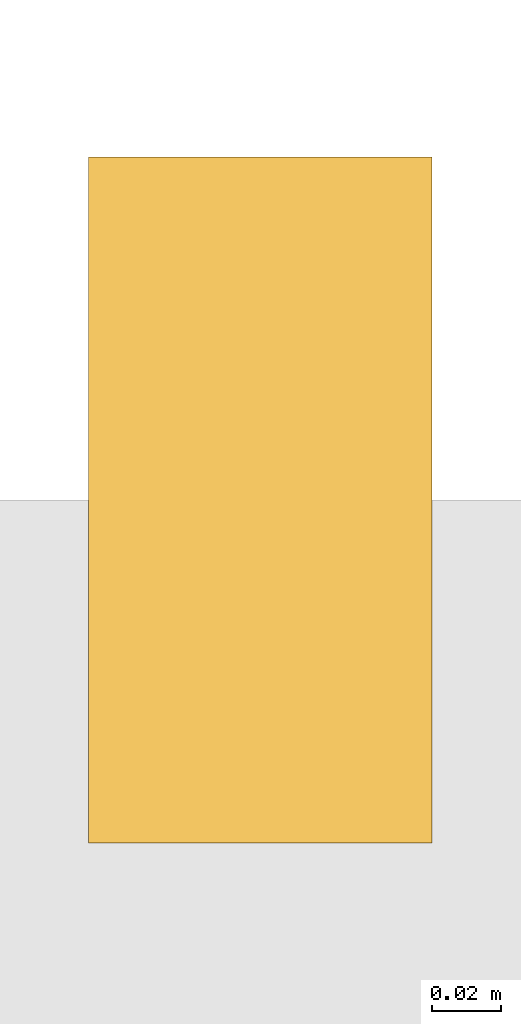
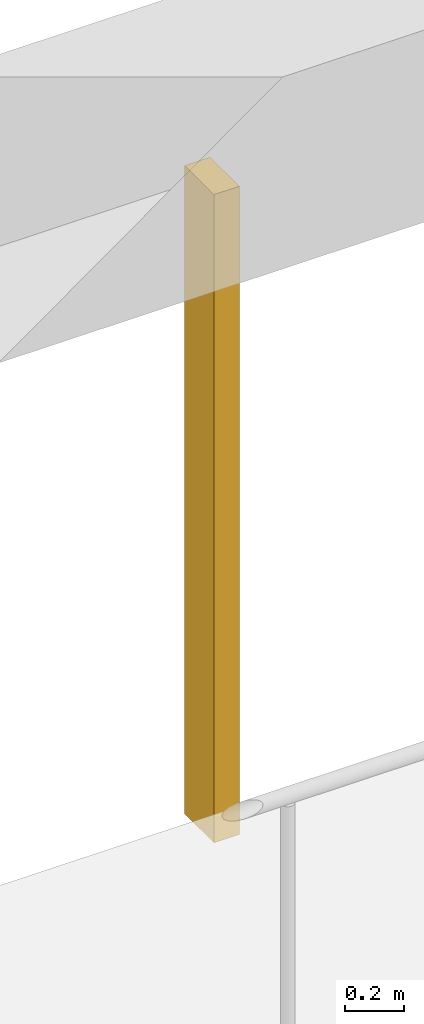
# One storey, part 15 of 19: 1 shading device.
"""IFC4 building model written with IfcOpenShell, lengths in metres."""

import ifcopenshell
import ifcopenshell.guid

model = None  # the IFC model being written
_history = None  # IfcOwnerHistory: only IFC2X3 demands one
_inside = {}  # id of a spatial element -> (the spatial element, [elements in it])
_under = {}  # id of a project, library or spatial element -> (it, [spatial elements below it])
_declared = {}  # id of a project -> (the project, [libraries it declares])
_typed = {}  # id of a type object -> (the type object, [elements of that type])
_made_of = {}  # id of a material, layer set ... -> (it, [elements and type objects made of it])


def new_model(schema):
    """Start an empty IFC model of exactly this schema.

    Asked for "IFC4X3", IfcOpenShell would pick the latest addendum, in which some entities
    have other attributes; the version numbers below select the first issue.
    IFC2X3 requires an IfcOwnerHistory on every rooted entity: one is made here for all.
    """
    global model, _history
    if schema == "IFC4X3":
        model = ifcopenshell.file(schema_version=(4, 3, 0, 0))
    else:
        model = ifcopenshell.file(schema=schema)
    _inside.clear()
    _under.clear()
    _declared.clear()
    _typed.clear()
    _made_of.clear()
    _history = None
    if model.schema == "IFC2X3":
        org = make("IfcOrganization", Name="unknown")
        user = make(
            "IfcPersonAndOrganization",
            ThePerson=make("IfcPerson", FamilyName="unknown"),
            TheOrganization=org,
        )
        app = make(
            "IfcApplication",
            ApplicationDeveloper=org,
            Version="unknown",
            ApplicationFullName="unknown",
            ApplicationIdentifier="unknown",
        )
        _history = make(
            "IfcOwnerHistory",
            OwningUser=user,
            OwningApplication=app,
            ChangeAction="ADDED",
            CreationDate=0,
        )
    return model


def make(cls, **values):
    """One entity of the class cls with the attributes given. An attribute that is None is left unset."""
    return model.create_entity(
        cls, **{name: value for name, value in values.items() if value is not None}
    )


def rooted(cls, **values):
    """An entity with a GlobalId (a new one), such as an element, a storey or a relation."""
    return make(cls, GlobalId=ifcopenshell.guid.new(), OwnerHistory=_history, **values)


def si_unit(unit_type, name, prefix=None):
    """IfcSIUnit, for example si_unit("LENGTHUNIT", "METRE", prefix="MILLI")."""
    return make("IfcSIUnit", UnitType=unit_type, Prefix=prefix, Name=name)


def assignment(units):
    """IfcUnitAssignment: the units of a project."""
    return None if units is None else make("IfcUnitAssignment", Units=units)


def point(xyz):
    """IfcCartesianPoint."""
    return None if xyz is None else make("IfcCartesianPoint", Coordinates=xyz)


def direction(xyz):
    """IfcDirection."""
    return None if xyz is None else make("IfcDirection", DirectionRatios=xyz)


def frame(location, z_axis=None, x_axis=None):
    """IfcAxis2Placement3D, a coordinate frame: its origin and axes. An axis left out is left unset."""
    return make(
        "IfcAxis2Placement3D",
        Location=point(location),
        Axis=direction(z_axis),
        RefDirection=direction(x_axis),
    )


def frame_2d(location, x_axis=None):
    """IfcAxis2Placement2D, a coordinate frame in the plane: its origin and x axis."""
    return make(
        "IfcAxis2Placement2D", Location=point(location), RefDirection=direction(x_axis)
    )


def origin():
    """The frame at (0, 0, 0) with its axes left unset."""
    return frame((0.0, 0.0, 0.0))


def origin_2d():
    """The frame at (0, 0) in the plane with its x axis left unset."""
    return frame_2d((0.0, 0.0))


def place(relative_to, where):
    """IfcLocalPlacement: puts the frame where relative to a parent placement (None: the world)."""
    return make(
        "IfcLocalPlacement", PlacementRelTo=relative_to, RelativePlacement=where
    )


def context(
    kind, dimensions, precision=None, world=None, true_north=None, identifier=None
):
    """IfcGeometricRepresentationContext, for example the 3D "Model" context."""
    return make(
        "IfcGeometricRepresentationContext",
        ContextIdentifier=identifier,
        ContextType=kind,
        CoordinateSpaceDimension=dimensions,
        Precision=precision,
        WorldCoordinateSystem=world,
        TrueNorth=true_north,
    )


def subcontext(parent, identifier, kind, view, scale=None):
    """IfcGeometricRepresentationSubContext, for example "Body" below "Model"."""
    return make(
        "IfcGeometricRepresentationSubContext",
        ContextIdentifier=identifier,
        ContextType=kind,
        ParentContext=parent,
        TargetScale=scale,
        TargetView=view,
    )


def project(units=None, contexts=None):
    """IfcProject with its units and contexts."""
    return rooted(
        "IfcProject",
        Name="project",
        RepresentationContexts=contexts,
        UnitsInContext=assignment(units),
    )


def spatial(cls, under=None, at=None, **own):
    """A site, building, storey or space (cls), placed at a placement, below another one or the project."""
    s = rooted(cls, ObjectPlacement=at, **own)
    if under is not None:
        _under.setdefault(under.id(), (under, []))[1].append(s)
    return s


def profile(cls, at=None, kind="AREA", **sizes):
    """A parametric profile (cls). Its sizes go by their IFC names, for example OverallWidth=200.0."""
    return make(cls, ProfileType=kind, Position=at, **sizes)


def rectangle(**sizes):
    """IfcRectangleProfileDef."""
    return profile("IfcRectangleProfileDef", **sizes)


def extrude(swept, where, along, depth):
    """IfcExtrudedAreaSolid: the profile swept, set in the frame where, extruded along a direction by depth."""
    return make(
        "IfcExtrudedAreaSolid",
        SweptArea=swept,
        Position=where,
        ExtrudedDirection=direction(along),
        Depth=depth,
    )


def shape(context_of_items, identifier, shape_type, items):
    """IfcShapeRepresentation: the items that make up one representation, for example the "Body"."""
    return make(
        "IfcShapeRepresentation",
        ContextOfItems=context_of_items,
        RepresentationIdentifier=identifier,
        RepresentationType=shape_type,
        Items=items,
    )


def material(Name=None, Category=None):
    """IfcMaterial."""
    return make("IfcMaterial", Name=Name, Category=Category)


def material_profile(
    of_material, cross_section, Name=None, Category=None, Priority=None
):
    """IfcMaterialProfile: a cross section and its material."""
    return make(
        "IfcMaterialProfile",
        Name=Name,
        Material=of_material,
        Profile=cross_section,
        Priority=Priority,
        Category=Category,
    )


def profile_set(profiles, Name=None, composite=None):
    """IfcMaterialProfileSet."""
    return make(
        "IfcMaterialProfileSet",
        Name=Name,
        MaterialProfiles=profiles,
        CompositeProfile=composite,
    )


def made_of(thing, what):
    """Note that an element or type object is made of a material, layer set ...; save() writes the relation."""
    if what is not None:
        _made_of.setdefault(what.id(), (what, []))[1].append(thing)
    return thing


def type_object(cls, material=None, **own):
    """A type object (cls), such as IfcWallType, which elements share."""
    return made_of(rooted(cls, **own), material)


def element(
    cls,
    number,
    at=None,
    inside=None,
    cuts=None,
    type_object=None,
    material=None,
    context=None,
    identifier="Body",
    shape_type=None,
    held_by="IfcProductDefinitionShape",
    body=None,
    shapes=None,
    **own,
):
    """One element of the class cls, such as IfcWall. Its Tag is "e" and its number.

    at: its placement. inside: the storey or other place that contains it. cuts: it is an
    opening in that element (IfcRelVoidsElement). A single representation is given by context,
    identifier, shape_type and body (its items); several are given by shapes. held_by: the class
    of the entity that holds the representations. save() writes the other relations.
    """
    e = rooted(cls, Tag="e%d" % number, ObjectPlacement=at, **own)
    if body is not None:
        shapes = [shape(context, identifier, shape_type, body)]
    if shapes is not None:
        e.Representation = make(held_by, Representations=shapes)
    if inside is not None:
        _inside.setdefault(inside.id(), (inside, []))[1].append(e)
    if cuts is not None:
        rooted(
            "IfcRelVoidsElement", RelatingBuildingElement=cuts, RelatedOpeningElement=e
        )
    if type_object is not None:
        _typed.setdefault(type_object.id(), (type_object, []))[1].append(e)
    return made_of(e, material)


def aggregate(whole, parts):
    """IfcRelAggregates: a whole, such as a stair, and the parts it consists of."""
    return rooted("IfcRelAggregates", RelatingObject=whole, RelatedObjects=parts)


def save(model, path):
    """Write the relations noted so far, then the file.

    IfcRelAggregates (storeys below a building ...), IfcRelContainedInSpatialStructure (elements
    in a storey), IfcRelDefinesByType, IfcRelAssociatesMaterial and IfcRelDeclares: one each for
    every whole, place, type object, material and project.
    """
    for whole, parts in _under.values():
        aggregate(whole, parts)
    for where, things in _inside.values():
        rooted(
            "IfcRelContainedInSpatialStructure",
            RelatedElements=things,
            RelatingStructure=where,
        )
    for kind, things in _typed.values():
        rooted("IfcRelDefinesByType", RelatedObjects=things, RelatingType=kind)
    for what, things in _made_of.values():
        rooted("IfcRelAssociatesMaterial", RelatedObjects=things, RelatingMaterial=what)
    for by, libraries in _declared.values():
        rooted("IfcRelDeclares", RelatingContext=by, RelatedDefinitions=libraries)
    model.write(path)


model = new_model("IFC4")

# Units and contexts
model_context = context("Model", 3, precision=1e-05, world=origin(), true_north=direction((0.0, 1.0)))
body_context = subcontext(model_context, "Body", "Model", "MODEL_VIEW")
ifc_project = project(units=[si_unit("LENGTHUNIT", "METRE"), si_unit("AREAUNIT", "SQUARE_METRE"), si_unit("VOLUMEUNIT", "CUBIC_METRE"), si_unit("PLANEANGLEUNIT", "RADIAN"), si_unit("MASSUNIT", "GRAM", prefix="KILO")], contexts=[model_context])

# Site, building, storey
site_placement = place(None, origin())
site = spatial("IfcSite", under=ifc_project, at=site_placement, CompositionType="ELEMENT")
building_placement = place(site_placement, origin())
building = spatial("IfcBuilding", under=site, at=building_placement, Name="Vermilion Gate Residences", CompositionType="ELEMENT")
storey_placement = place(building_placement, frame((0.0, 0.0, 46.199951171875)))
storey = spatial("IfcBuildingStorey", under=building, at=storey_placement, Name="L10", CompositionType="ELEMENT", Elevation=46.199951171875)

# Shading device
ifc_material = material(Name="Extruded terracotta", Category="masonry")
ifc_material_profile = material_profile(ifc_material, rectangle(XDim=0.199951171875, YDim=0.10009765625, at=origin_2d()), Name="BAGUETTE 100 X 200")
ifc_profile_set = profile_set([ifc_material_profile], Name="Extruded terracotta")
shading_device_type = type_object("IfcShadingDeviceType", Name="TERRACOTTA BAGUETTE 100 X 200", PredefinedType="JALOUSIE", material=ifc_profile_set)
shading_device_placement = place(storey_placement, frame((63.0, 25.5, -0.280029296875), z_axis=(0.0, 0.0, 1.0), x_axis=(0.0, -1.0, 0.0)))
element("IfcShadingDevice", 1, at=shading_device_placement, inside=storey, type_object=shading_device_type, Name="BAGUETTE", PredefinedType="JALOUSIE", context=body_context, shape_type="SweptSolid", body=[
    extrude(rectangle(XDim=0.199951171875, YDim=0.10009765625, at=origin_2d()), origin(), (0.0, 0.0, 1.0), 2.7001953125),
])

save(model, "model.ifc")
